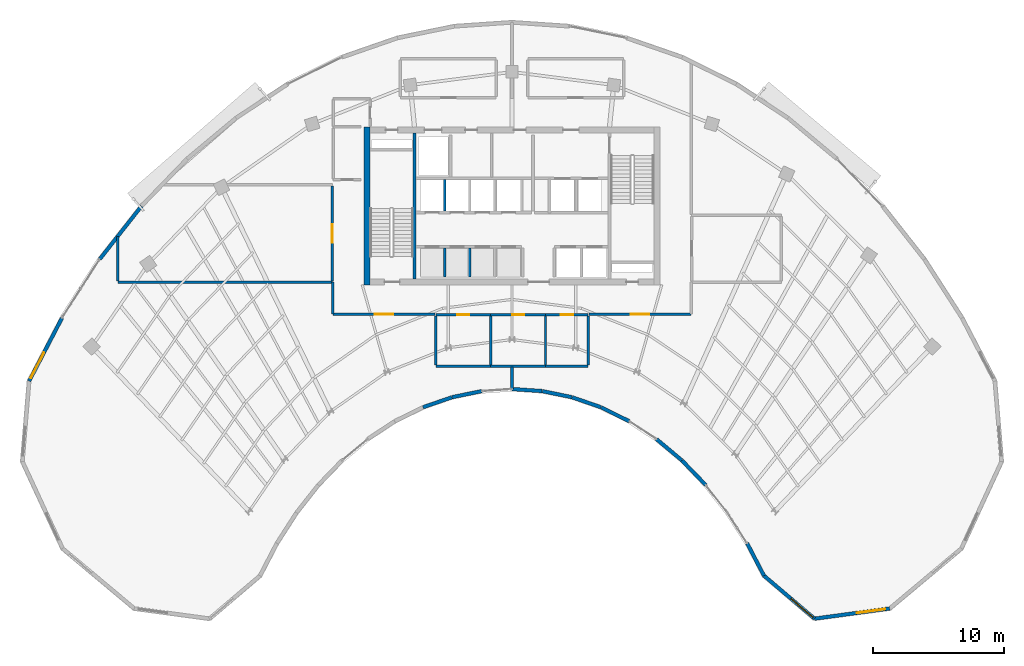
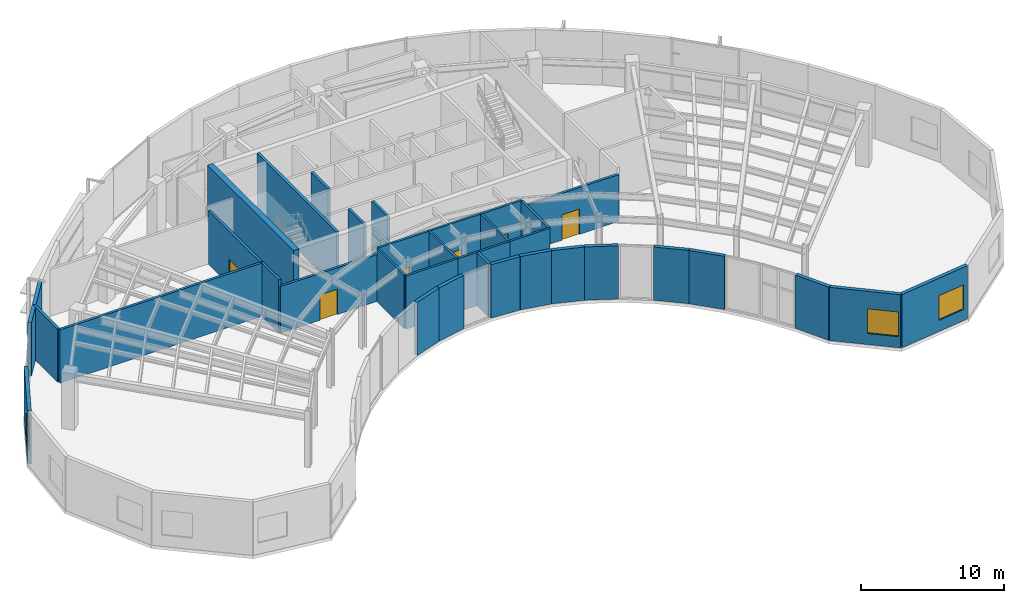
# One storey, part 8 of 15: 35 walls, 6 doors, 3 windows, 9 openings.
"""IFC4 building model written with IfcOpenShell, lengths in metres."""

from ifc_helpers import new_model, si_unit, direction, frame, frame_2d, origin, place, context, subcontext, project, spatial, rectangle, extrude, source, transform, mapped, material, layer, layer_set, type_object, type_shapes, element, fill, save


model = new_model("IFC4")

# Units and contexts
model_context = context("Model", 3, precision=1e-05, world=origin(), true_north=direction((0.0, 1.0)))
body_context = subcontext(model_context, "Body", "Model", "MODEL_VIEW")
ifc_project = project(units=[si_unit("LENGTHUNIT", "METRE"), si_unit("AREAUNIT", "SQUARE_METRE"), si_unit("VOLUMEUNIT", "CUBIC_METRE"), si_unit("PLANEANGLEUNIT", "RADIAN"), si_unit("MASSUNIT", "GRAM", prefix="KILO")], contexts=[model_context])

# Site, building, storey
site_placement = place(None, origin())
site = spatial("IfcSite", under=ifc_project, at=site_placement, CompositionType="ELEMENT")
building_placement = place(site_placement, origin())
building = spatial("IfcBuilding", under=site, at=building_placement, Name="Breltana Convention Tower", CompositionType="ELEMENT")
storey_placement = place(building_placement, frame((0.0, 0.0, 199.199951171875)))
storey = spatial("IfcBuildingStorey", under=building, at=storey_placement, Name="L48", CompositionType="ELEMENT", Elevation=199.199951171875)

# Walls
ifc_material_1 = material(Name="Concrete C60/75", Category="concrete")
ifc_layer_1 = layer(ifc_material_1, 0.449951171875, Name="Concrete C60/75")
ifc_layer_set_1 = layer_set([ifc_layer_1], Name="Concrete C60/75")
wall_type_1 = type_object("IfcWallType", Name="SW-CORE-450", PredefinedType="SHEAR", material=ifc_layer_set_1)
shared_shape_1 = source(origin(), body_context, "Body", "SweptSolid", [
    extrude(rectangle(XDim=12.0, YDim=0.449951171875, at=frame_2d((6.0, 0.0))), origin(), (0.0, 0.0, 1.0), 4.800048828125),
])
wall_1_placement = place(storey_placement, frame((36.97509765625, 60.199951171875, 0.0), z_axis=(0.0, 0.0, 1.0), x_axis=(0.0, 1.0, 0.0)))
element("IfcWall", 1, at=wall_1_placement, inside=storey, type_object=wall_type_1, Name="L48 West Core Shear Wall", PredefinedType="SHEAR", context=body_context, shape_type="MappedRepresentation", body=[
    mapped(shared_shape_1, transform((0.0, 0.0, 0.0), scale=1.0)),
])
ifc_material_2 = material(Name="Concrete C50/60", Category="concrete")
ifc_layer_2 = layer(ifc_material_2, 0.39990234375, Name="Concrete C50/60")
ifc_layer_set_2 = layer_set([ifc_layer_2], Name="Concrete C50/60")
wall_type_2 = type_object("IfcWallType", Name="SW-CORE-400", PredefinedType="SHEAR", material=ifc_layer_set_2)
shared_shape_2 = source(origin(), body_context, "Body", "SweptSolid", [
    extrude(rectangle(XDim=11.10009765625, YDim=0.219970703125, at=frame_2d((5.550048828125, 0.0))), origin(), (0.0, 0.0, 1.0), 4.800048828125),
])
wall_2_placement = place(storey_placement, frame((40.580078125, 60.64990234375, 0.0), z_axis=(0.0, 0.0, 1.0), x_axis=(0.0, 1.0, 0.0)))
element("IfcWall", 2, at=wall_2_placement, inside=storey, type_object=wall_type_2, Name="L48 Core West Stair Spine Wall", PredefinedType="SHEAR", context=body_context, shape_type="MappedRepresentation", body=[
    mapped(shared_shape_2, transform((0.0, 0.0, 0.0), scale=1.0)),
])

# Wall, opening, window
ifc_material_3 = material(Name="Limestone Buff Insulated Wall", Category="masonry")
ifc_layer_3 = layer(ifc_material_3, 0.280029296875, Name="Limestone Buff Insulated Wall")
ifc_layer_set_3 = layer_set([ifc_layer_3], Name="Limestone Buff Insulated Wall")
wall_type_3 = type_object("IfcWallType", Name="WL-EXT-NOSE-280", PredefinedType="SOLIDWALL", material=ifc_layer_set_3)
shared_shape_3 = source(origin(), body_context, "Body", "SweptSolid", [
    extrude(rectangle(XDim=5.771240234375, YDim=0.280029296875, at=frame_2d((2.8857421875, 0.0))), origin(), (0.0, 0.0, 1.0), 4.5400390625),
])
wall_3_placement = place(storey_placement, frame((76.74951171875, 35.559814453125, 0.0), z_axis=(0.0, 0.0, 1.0), x_axis=(-0.990933615537, -0.134352408237, 0.0)))
wall_3 = element("IfcWall", 3, at=wall_3_placement, inside=storey, type_object=wall_type_3, Name="L48 curved limestone nose wall E4", PredefinedType="SOLIDWALL", context=body_context, shape_type="MappedRepresentation", body=[
    mapped(shared_shape_3, transform((0.0, 0.0, 0.0), scale=1.0)),
])
opening_1_placement = place(wall_3_placement, frame((0.343017578125, 0.0, 0.949951171875)))
opening_1 = element("IfcOpeningElement", 4, at=opening_1_placement, cuts=wall_3, Name="Opening W-03", PredefinedType="OPENING", context=body_context, shape_type="SweptSolid", body=[
    extrude(rectangle(XDim=2.199951171875, YDim=2.10009765625, at=frame_2d((1.10009765625, 1.050048828125))), frame((0.0, 0.14990234375, 0.0), z_axis=(0.0, -1.0, 0.0), x_axis=(1.0, 0.0, 0.0)), (0.0, 0.0, 1.0), 0.300048828125),
])
ifc_material_4 = material(Name="Glass Low-E Insulated Window", Category="glass")
window_type = type_object("IfcWindowType", Name="WN-NOSE-2200X2100", PartitioningType="TRIPLE_PANEL_VERTICAL", PredefinedType="WINDOW", material=ifc_material_4)
shared_shape_4 = source(origin(), body_context, "Body", "SweptSolid", [
    extrude(rectangle(XDim=2.199951171875, YDim=2.10009765625, at=frame_2d((1.10009765625, 1.050048828125))), frame((0.0, 0.030029296875, 0.0), z_axis=(0.0, -1.0, 0.0), x_axis=(1.0, 0.0, 0.0)), (0.0, 0.0, 1.0), 0.06005859375),
])
type_shapes(window_type, [shared_shape_4])
window_1_placement = place(opening_1_placement, origin())
window_1 = element("IfcWindow", 5, at=window_1_placement, inside=storey, type_object=window_type, Name="L48 nose window E4", OverallHeight=2.10009765625, OverallWidth=2.199951171875, PartitioningType="TRIPLE_PANEL_VERTICAL", PredefinedType="WINDOW", context=body_context, shape_type="MappedRepresentation", body=[
    mapped(shared_shape_4, transform((0.0, 0.0, 0.0), scale=1.0)),
])
fill(opening_1, window_1)

shared_shape_5 = source(origin(), body_context, "Body", "SweptSolid", [
    extrude(rectangle(XDim=5.051025390625, YDim=0.280029296875, at=frame_2d((2.525390625, 0.0))), origin(), (0.0, 0.0, 1.0), 4.5400390625),
])
wall_4_placement = place(storey_placement, frame((71.030517578125, 34.784423828125, 0.0), z_axis=(0.0, 0.0, 1.0), x_axis=(-0.761904731537, 0.647689107568, 0.0)))
wall_4 = element("IfcWall", 6, at=wall_4_placement, inside=storey, type_object=wall_type_3, Name="L48 curved limestone nose wall E5", PredefinedType="SOLIDWALL", context=body_context, shape_type="MappedRepresentation", body=[
    mapped(shared_shape_5, transform((0.0, 0.0, 0.0), scale=1.0)),
])
opening_2_placement = place(wall_4_placement, frame((0.16259765625, 0.0, 0.949951171875)))
opening_2 = element("IfcOpeningElement", 7, at=opening_2_placement, cuts=wall_4, Name="Opening W-03", PredefinedType="OPENING", context=body_context, shape_type="SweptSolid", body=[
    extrude(rectangle(XDim=2.199951171875, YDim=2.10009765625, at=frame_2d((1.10009765625, 1.050048828125))), frame((0.0, 0.14990234375, 0.0), z_axis=(0.0, -1.0, 0.0), x_axis=(1.0, 0.0, 0.0)), (0.0, 0.0, 1.0), 0.300048828125),
])
window_2_placement = place(opening_2_placement, origin())
window_2 = element("IfcWindow", 8, at=window_2_placement, inside=storey, type_object=window_type, Name="L48 nose window E5", OverallHeight=2.10009765625, OverallWidth=2.199951171875, PartitioningType="TRIPLE_PANEL_VERTICAL", PredefinedType="WINDOW", context=body_context, shape_type="MappedRepresentation", body=[
    mapped(shared_shape_4, transform((0.0, 0.0, 0.0), scale=1.0)),
])
fill(opening_2, window_2)

# Walls
shared_shape_6 = source(origin(), body_context, "Body", "SweptSolid", [
    extrude(rectangle(XDim=2.779296875, YDim=0.280029296875, at=frame_2d((1.3896484375, 0.0))), origin(), (0.0, 0.0, 1.0), 4.5400390625),
])
wall_5_placement = place(storey_placement, frame((67.18212890625, 38.055908203125, 0.0), z_axis=(0.0, 0.0, 1.0), x_axis=(-0.461770308601, 0.886999538948, 0.0)))
element("IfcWall", 9, at=wall_5_placement, inside=storey, type_object=wall_type_3, Name="L48 curved limestone nose wall E6", PredefinedType="SOLIDWALL", context=body_context, shape_type="MappedRepresentation", body=[
    mapped(shared_shape_6, transform((0.0, 0.0, 0.0), scale=1.0)),
])
shared_shape_7 = source(origin(), body_context, "Body", "SweptSolid", [
    extrude(rectangle(XDim=2.587646484375, YDim=0.280029296875, at=frame_2d((1.2939453125, 0.0))), origin(), (0.0, 0.0, 1.0), 4.5400390625),
])
wall_6_placement = place(storey_placement, frame((62.739501953125, 44.96630859375, 0.0), z_axis=(0.0, 0.0, 1.0), x_axis=(-0.694687114507, 0.719312041424, 0.0)))
element("IfcWall", 10, at=wall_6_placement, inside=storey, type_object=wall_type_3, Name="L48 curved limestone nose wall E7", PredefinedType="SOLIDWALL", context=body_context, shape_type="MappedRepresentation", body=[
    mapped(shared_shape_7, transform((0.0, 0.0, 0.0), scale=1.0)),
])
shared_shape_8 = source(origin(), body_context, "Body", "SweptSolid", [
    extrude(rectangle(XDim=2.51123046875, YDim=0.280029296875, at=frame_2d((1.255615234375, 0.0))), origin(), (0.0, 0.0, 1.0), 4.5400390625),
])
wall_7_placement = place(storey_placement, frame((60.927734375, 46.8408203125, 0.0), z_axis=(0.0, 0.0, 1.0), x_axis=(-0.767910416122, 0.640557251782, 0.0)))
element("IfcWall", 11, at=wall_7_placement, inside=storey, type_object=wall_type_3, Name="L48 curved limestone nose wall E8", PredefinedType="SOLIDWALL", context=body_context, shape_type="MappedRepresentation", body=[
    mapped(shared_shape_8, transform((0.0, 0.0, 0.0), scale=1.0)),
])
shared_shape_9 = source(origin(), body_context, "Body", "SweptSolid", [
    extrude(rectangle(XDim=2.377685546875, YDim=0.280029296875, at=frame_2d((1.18896484375, 0.0))), origin(), (0.0, 0.0, 1.0), 4.5400390625),
])
wall_8_placement = place(storey_placement, frame((56.923828125, 49.8115234375, 0.0), z_axis=(0.0, 0.0, 1.0), x_axis=(-0.895941616831, 0.444171835252, 0.0)))
element("IfcWall", 12, at=wall_8_placement, inside=storey, type_object=wall_type_3, Name="L48 curved limestone nose wall E9", PredefinedType="SOLIDWALL", context=body_context, shape_type="MappedRepresentation", body=[
    mapped(shared_shape_9, transform((0.0, 0.0, 0.0), scale=1.0)),
])
shared_shape_10 = source(origin(), body_context, "Body", "SweptSolid", [
    extrude(rectangle(XDim=2.327880859375, YDim=0.280029296875, at=frame_2d((1.1640625, 0.0))), origin(), (0.0, 0.0, 1.0), 4.5400390625),
])
for number, where, z_axis, x_axis, name in (
    (13, (54.7724609375, 50.87646484375, 0.0), (0.0, 0.0, 1.0), (-0.944872545641, 0.32743834915, 0.0), "L48 curved limestone nose wall E10"),
    (14, (43.427001953125, 51.638671875, 0.0), (0.0, 0.0, 1.0), (-0.944872545641, -0.32743834915, 0.0), "L48 curved limestone nose wall E14"),
):
    element("IfcWall", number, at=place(storey_placement, frame(where, z_axis=z_axis, x_axis=x_axis)), inside=storey, type_object=wall_type_3, Name=name, PredefinedType="SOLIDWALL", context=body_context, shape_type="MappedRepresentation", body=[
        mapped(shared_shape_10, transform((0.0, 0.0, 0.0), scale=1.0)),
    ])
shared_shape_11 = source(origin(), body_context, "Body", "SweptSolid", [
    extrude(rectangle(XDim=2.2919921875, YDim=0.280029296875, at=frame_2d((1.14599609375, 0.0))), origin(), (0.0, 0.0, 1.0), 4.5400390625),
])
for number, where, z_axis, x_axis, name in (
    (15, (52.55029296875, 51.64501953125, 0.0), (0.0, 0.0, 1.0), (-0.979635482689, 0.200784264963, 0.0), "L48 curved limestone nose wall E11"),
    (16, (45.695068359375, 52.105224609375, 0.0), (0.0, 0.0, 1.0), (-0.979635482689, -0.200784264963, 0.0), "L48 curved limestone nose wall E13"),
):
    element("IfcWall", number, at=place(storey_placement, frame(where, z_axis=z_axis, x_axis=x_axis)), inside=storey, type_object=wall_type_3, Name=name, PredefinedType="SOLIDWALL", context=body_context, shape_type="MappedRepresentation", body=[
        mapped(shared_shape_11, transform((0.0, 0.0, 0.0), scale=1.0)),
    ])
shared_shape_12 = source(origin(), body_context, "Body", "SweptSolid", [
    extrude(rectangle(XDim=2.27392578125, YDim=0.280029296875, at=frame_2d((1.136962890625, 0.0))), origin(), (0.0, 0.0, 1.0), 4.5400390625),
])
wall_9_placement = place(storey_placement, frame((50.281005859375, 52.108642578125, 0.0), z_axis=(0.0, 0.0, 1.0), x_axis=(-0.997702696995, 0.067744582138, 0.0)))
element("IfcWall", 17, at=wall_9_placement, inside=storey, type_object=wall_type_3, Name="L48 curved limestone nose wall E12", PredefinedType="SOLIDWALL", context=body_context, shape_type="MappedRepresentation", body=[
    mapped(shared_shape_12, transform((0.0, 0.0, 0.0), scale=1.0)),
])

# Wall, opening, window
shared_shape_13 = source(origin(), body_context, "Body", "SweptSolid", [
    extrude(rectangle(XDim=5.41552734375, YDim=0.280029296875, at=frame_2d((2.707763671875, 0.0))), origin(), (0.0, 0.0, 1.0), 4.5400390625),
])
wall_10_placement = place(storey_placement, frame((11.243896484375, 52.87353515625, 0.0), z_axis=(0.0, 0.0, 1.0), x_axis=(0.46177852435, 0.886995261796, 0.0)))
wall_10 = element("IfcWall", 18, at=wall_10_placement, inside=storey, type_object=wall_type_3, Name="L48 curved limestone nose wall W7", PredefinedType="SOLIDWALL", context=body_context, shape_type="MappedRepresentation", body=[
    mapped(shared_shape_13, transform((0.0, 0.0, 0.0), scale=1.0)),
])
opening_3_placement = place(wall_10_placement, frame((0.25390625, 0.0, 0.949951171875)))
opening_3 = element("IfcOpeningElement", 19, at=opening_3_placement, cuts=wall_10, Name="Opening W-03", PredefinedType="OPENING", context=body_context, shape_type="SweptSolid", body=[
    extrude(rectangle(XDim=2.199951171875, YDim=2.10009765625, at=frame_2d((1.10009765625, 1.050048828125))), frame((0.0, 0.14990234375, 0.0), z_axis=(0.0, -1.0, 0.0), x_axis=(1.0, 0.0, 0.0)), (0.0, 0.0, 1.0), 0.300048828125),
])
window_3_placement = place(opening_3_placement, origin())
window_3 = element("IfcWindow", 20, at=window_3_placement, inside=storey, type_object=window_type, Name="L48 nose window W7", OverallHeight=2.10009765625, OverallWidth=2.199951171875, PartitioningType="TRIPLE_PANEL_VERTICAL", PredefinedType="WINDOW", context=body_context, shape_type="MappedRepresentation", body=[
    mapped(shared_shape_4, transform((0.0, 0.0, 0.0), scale=1.0)),
])
fill(opening_3, window_3)

# Walls
shared_shape_14 = source(origin(), body_context, "Body", "SweptSolid", [
    extrude(rectangle(XDim=5.153076171875, YDim=0.280029296875, at=frame_2d((2.57666015625, 0.0))), origin(), (0.0, 0.0, 1.0), 4.5400390625),
])
wall_11_placement = place(storey_placement, frame((16.609130859375, 62.1396484375, 0.0), z_axis=(0.0, 0.0, 1.0), x_axis=(0.618179283891, 0.786037132054, 0.0)))
element("IfcWall", 21, at=wall_11_placement, inside=storey, type_object=wall_type_3, Name="L48 curved limestone nose wall E20", PredefinedType="SOLIDWALL", context=body_context, shape_type="MappedRepresentation", body=[
    mapped(shared_shape_14, transform((0.0, 0.0, 0.0), scale=1.0)),
])
ifc_material_5 = material(Name="Autoclaved Aerated Concrete Block", Category="concrete")
ifc_layer_4 = layer(ifc_material_5, 0.199951171875, Name="Autoclaved Aerated Concrete Block")
ifc_layer_set_4 = layer_set([ifc_layer_4], Name="Autoclaved Aerated Concrete Block")
wall_type_4 = type_object("IfcWallType", Name="WL-SHAFT-200", PredefinedType="SOLIDWALL", material=ifc_layer_set_4)
shared_shape_15 = source(origin(), body_context, "Body", "SweptSolid", [
    extrude(rectangle(XDim=2.39990234375, YDim=0.199951171875, at=frame_2d((1.199951171875, 0.0))), origin(), (0.0, 0.0, 1.0), 4.5400390625),
])
wall_12_placement = place(storey_placement, frame((42.8701171875, 65.800048828125, 0.0), z_axis=(0.0, 0.0, 1.0), x_axis=(0.0, 1.0, 0.0)))
element("IfcWall", 22, at=wall_12_placement, inside=storey, type_object=wall_type_4, Name="L48 interior partition W-L48-SH-M-DIV1", PredefinedType="SOLIDWALL", context=body_context, shape_type="MappedRepresentation", body=[
    mapped(shared_shape_15, transform((0.0, 0.0, 0.0), scale=1.0)),
])
shared_shape_16 = source(origin(), body_context, "Body", "SweptSolid", [
    extrude(rectangle(XDim=2.199951171875, YDim=0.199951171875, at=frame_2d((1.10009765625, 0.0))), origin(), (0.0, 0.0, 1.0), 4.5400390625),
])
for number, where, z_axis, x_axis, name in (
    (23, (42.8701171875, 60.800048828125, 0.0), (0.0, 0.0, 1.0), (0.0, 1.0, 0.0), "L48 interior partition W-L48-SH-S-DIV1"),
    (24, (44.77001953125, 60.800048828125, 0.0), (0.0, 0.0, 1.0), (0.0, 1.0, 0.0), "L48 interior partition W-L48-SH-S-DIV2"),
):
    element("IfcWall", number, at=place(storey_placement, frame(where, z_axis=z_axis, x_axis=x_axis)), inside=storey, type_object=wall_type_4, Name=name, PredefinedType="SOLIDWALL", context=body_context, shape_type="MappedRepresentation", body=[
        mapped(shared_shape_16, transform((0.0, 0.0, 0.0), scale=1.0)),
    ])
ifc_material_6 = material(Name="Cement Board Wet-Area Partition")
ifc_layer_5 = layer(ifc_material_6, 0.175048828125, Name="Cement Board Wet-Area Partition")
ifc_layer_set_5 = layer_set([ifc_layer_5], Name="Cement Board Wet-Area Partition")
wall_type_5 = type_object("IfcWallType", Name="WL-WET-175", PredefinedType="PARTITIONING", material=ifc_layer_set_5)
shared_shape_17 = source(origin(), body_context, "Body", "SweptSolid", [
    extrude(rectangle(XDim=4.176025390625, YDim=0.175048828125, at=frame_2d((2.087890625, 0.0))), origin(), (0.0, 0.0, 1.0), 4.5400390625),
])
for number, where, z_axis, x_axis, name in (
    (25, (42.199951171875, 54.0, 0.0), (0.0, 0.0, 1.0), (1.0, 0.0, 0.0), "L48 interior partition W-L48-WCM-S"),
    (26, (46.3759765625, 54.0, 0.0), (0.0, 0.0, 1.0), (1.0, 0.0, 0.0), "L48 interior partition W-L48-WCF-S"),
):
    element("IfcWall", number, at=place(storey_placement, frame(where, z_axis=z_axis, x_axis=x_axis)), inside=storey, type_object=wall_type_5, Name=name, PredefinedType="PARTITIONING", context=body_context, shape_type="MappedRepresentation", body=[
        mapped(shared_shape_17, transform((0.0, 0.0, 0.0), scale=1.0)),
    ])

# Wall, opening, door
ifc_material_7 = material(Name="Moisture-Resistant Gypsum Chase Wall")
ifc_layer_6 = layer(ifc_material_7, 0.179931640625, Name="Moisture-Resistant Gypsum Chase Wall")
ifc_layer_set_6 = layer_set([ifc_layer_6], Name="Moisture-Resistant Gypsum Chase Wall")
wall_type_6 = type_object("IfcWallType", Name="WL-PLUMB-180", PredefinedType="PLUMBINGWALL", material=ifc_layer_set_6)
shared_shape_18 = source(origin(), body_context, "Body", "SweptSolid", [
    extrude(rectangle(XDim=4.176025390625, YDim=0.179931640625, at=frame_2d((2.087890625, 0.0))), origin(), (0.0, 0.0, 1.0), 4.5400390625),
])
wall_13_placement = place(storey_placement, frame((42.199951171875, 57.919921875, 0.0), z_axis=(0.0, 0.0, 1.0), x_axis=(1.0, 0.0, 0.0)))
wall_13 = element("IfcWall", 27, at=wall_13_placement, inside=storey, type_object=wall_type_6, Name="L48 interior partition W-L48-WCM-N", PredefinedType="PLUMBINGWALL", context=body_context, shape_type="MappedRepresentation", body=[
    mapped(shared_shape_18, transform((0.0, 0.0, 0.0), scale=1.0)),
])
opening_4_placement = place(wall_13_placement, frame((1.637939453125, 0.0, 0.0)))
opening_4 = element("IfcOpeningElement", 28, at=opening_4_placement, cuts=wall_13, Name="Opening D-19", PredefinedType="OPENING", context=body_context, shape_type="SweptSolid", body=[
    extrude(rectangle(XDim=0.89990234375, YDim=2.080078125, at=frame_2d((0.449951171875, 1.0400390625))), frame((0.0, 0.10009765625, 0.0), z_axis=(0.0, -1.0, 0.0), x_axis=(1.0, 0.0, 0.0)), (0.0, 0.0, 1.0), 0.199951171875),
])
ifc_material_8 = material(Name="Timber Moisture-Resistant Door", Category="wood")
door_type_1 = type_object("IfcDoorType", Name="DR-WC-900", OperationType="NOTDEFINED", PredefinedType="DOOR", material=ifc_material_8)
shared_shape_19 = source(origin(), body_context, "Body", "SweptSolid", [
    extrude(rectangle(XDim=0.89990234375, YDim=2.080078125, at=frame_2d((0.449951171875, 1.0400390625))), frame((0.0, 0.02490234375, 0.0), z_axis=(0.0, -1.0, 0.0), x_axis=(1.0, 0.0, 0.0)), (0.0, 0.0, 1.0), 0.050048828125),
])
type_shapes(door_type_1, [shared_shape_19])
door_1_placement = place(opening_4_placement, origin())
door_1 = element("IfcDoor", 29, at=door_1_placement, inside=storey, type_object=door_type_1, Name="L48 interior door D-L48-WCM", OperationType="SINGLE_SWING_RIGHT", OverallHeight=2.080078125, OverallWidth=0.89990234375, PredefinedType="DOOR", context=body_context, shape_type="MappedRepresentation", body=[
    mapped(shared_shape_19, transform((0.0, 0.0, 0.0), scale=1.0)),
])
fill(opening_4, door_1)

wall_14_placement = place(storey_placement, frame((46.3759765625, 57.919921875, 0.0), z_axis=(0.0, 0.0, 1.0), x_axis=(1.0, 0.0, 0.0)))
wall_14 = element("IfcWall", 30, at=wall_14_placement, inside=storey, type_object=wall_type_6, Name="L48 interior partition W-L48-WCF-N", PredefinedType="PLUMBINGWALL", context=body_context, shape_type="MappedRepresentation", body=[
    mapped(shared_shape_18, transform((0.0, 0.0, 0.0), scale=1.0)),
])
opening_5_placement = place(wall_14_placement, frame((1.637939453125, 0.0, 0.0)))
opening_5 = element("IfcOpeningElement", 31, at=opening_5_placement, cuts=wall_14, Name="Opening D-19", PredefinedType="OPENING", context=body_context, shape_type="SweptSolid", body=[
    extrude(rectangle(XDim=0.89990234375, YDim=2.080078125, at=frame_2d((0.449951171875, 1.0400390625))), frame((0.0, 0.10009765625, 0.0), z_axis=(0.0, -1.0, 0.0), x_axis=(1.0, 0.0, 0.0)), (0.0, 0.0, 1.0), 0.199951171875),
])
door_2_placement = place(opening_5_placement, origin())
door_2 = element("IfcDoor", 32, at=door_2_placement, inside=storey, type_object=door_type_1, Name="L48 interior door D-L48-WCF", OperationType="SINGLE_SWING_LEFT", OverallHeight=2.080078125, OverallWidth=0.89990234375, PredefinedType="DOOR", context=body_context, shape_type="MappedRepresentation", body=[
    mapped(shared_shape_19, transform((0.0, 0.0, 0.0), scale=1.0)),
])
fill(opening_5, door_2)

# Walls
shared_shape_20 = source(origin(), body_context, "Body", "SweptSolid", [
    extrude(rectangle(XDim=3.7626953125, YDim=0.175048828125, at=frame_2d((1.88134765625, 0.0))), origin(), (0.0, 0.0, 1.0), 4.5400390625),
])
for number, where, z_axis, x_axis, name in (
    (33, (42.199951171875, 54.07861328125, 0.0), (0.0, 0.0, 1.0), (0.0, 1.0, 0.0), "L48 interior partition W-L48-WCM-W"),
    (34, (46.3759765625, 54.07861328125, 0.0), (0.0, 0.0, 1.0), (0.0, 1.0, 0.0), "L48 interior partition W-L48-WCM-E"),
    (35, (50.552001953125, 54.07861328125, 0.0), (0.0, 0.0, 1.0), (0.0, 1.0, 0.0), "L48 interior partition W-L48-WCF-E"),
    (36, (53.800048828125, 54.07861328125, 0.0), (0.0, 0.0, 1.0), (0.0, 1.0, 0.0), "L48 interior partition W-L48-WCA-E"),
):
    element("IfcWall", number, at=place(storey_placement, frame(where, z_axis=z_axis, x_axis=x_axis)), inside=storey, type_object=wall_type_5, Name=name, PredefinedType="PARTITIONING", context=body_context, shape_type="MappedRepresentation", body=[
        mapped(shared_shape_20, transform((0.0, 0.0, 0.0), scale=1.0)),
    ])
shared_shape_21 = source(origin(), body_context, "Body", "SweptSolid", [
    extrude(rectangle(XDim=3.248046875, YDim=0.175048828125, at=frame_2d((1.6240234375, 0.0))), origin(), (0.0, 0.0, 1.0), 4.5400390625),
])
wall_15_placement = place(storey_placement, frame((50.552001953125, 54.0, 0.0), z_axis=(0.0, 0.0, 1.0), x_axis=(1.0, 0.0, 0.0)))
element("IfcWall", 37, at=wall_15_placement, inside=storey, type_object=wall_type_5, Name="L48 interior partition W-L48-WCA-S", PredefinedType="PARTITIONING", context=body_context, shape_type="MappedRepresentation", body=[
    mapped(shared_shape_21, transform((0.0, 0.0, 0.0), scale=1.0)),
])

# Wall, opening, door
shared_shape_22 = source(origin(), body_context, "Body", "SweptSolid", [
    extrude(rectangle(XDim=3.248046875, YDim=0.179931640625, at=frame_2d((1.6240234375, 0.0))), origin(), (0.0, 0.0, 1.0), 4.5400390625),
])
wall_16_placement = place(storey_placement, frame((50.552001953125, 57.919921875, 0.0), z_axis=(0.0, 0.0, 1.0), x_axis=(1.0, 0.0, 0.0)))
wall_16 = element("IfcWall", 38, at=wall_16_placement, inside=storey, type_object=wall_type_6, Name="L48 interior partition W-L48-WCA-N", PredefinedType="PLUMBINGWALL", context=body_context, shape_type="MappedRepresentation", body=[
    mapped(shared_shape_22, transform((0.0, 0.0, 0.0), scale=1.0)),
])
opening_6_placement = place(wall_16_placement, frame((1.14892578125, 0.0, 0.0)))
opening_6 = element("IfcOpeningElement", 39, at=opening_6_placement, cuts=wall_16, Name="Opening D-16", PredefinedType="OPENING", context=body_context, shape_type="SweptSolid", body=[
    extrude(rectangle(XDim=0.949951171875, YDim=2.1201171875, at=frame_2d((0.47509765625, 1.06005859375))), frame((0.0, 0.10009765625, 0.0), z_axis=(0.0, -1.0, 0.0), x_axis=(1.0, 0.0, 0.0)), (0.0, 0.0, 1.0), 0.199951171875),
])
ifc_material_9 = material(Name="Timber Laminate Accessible Door", Category="wood")
door_type_2 = type_object("IfcDoorType", Name="DR-ACC-950", OperationType="NOTDEFINED", PredefinedType="DOOR", material=ifc_material_9)
shared_shape_23 = source(origin(), body_context, "Body", "SweptSolid", [
    extrude(rectangle(XDim=0.949951171875, YDim=2.1201171875, at=frame_2d((0.47509765625, 1.06005859375))), frame((0.0, 0.02490234375, 0.0), z_axis=(0.0, -1.0, 0.0), x_axis=(1.0, 0.0, 0.0)), (0.0, 0.0, 1.0), 0.050048828125),
])
type_shapes(door_type_2, [shared_shape_23])
door_3_placement = place(opening_6_placement, origin())
door_3 = element("IfcDoor", 40, at=door_3_placement, inside=storey, type_object=door_type_2, Name="L48 interior door D-L48-WCA", OperationType="SINGLE_SWING_RIGHT", OverallHeight=2.1201171875, OverallWidth=0.949951171875, PredefinedType="DOOR", context=body_context, shape_type="MappedRepresentation", body=[
    mapped(shared_shape_23, transform((0.0, 0.0, 0.0), scale=1.0)),
])
fill(opening_6, door_3)

# Walls
ifc_material_10 = material(Name="Gypsum Acoustic Hotel Wall")
ifc_layer_7 = layer(ifc_material_10, 0.195068359375, Name="Gypsum Acoustic Hotel Wall")
ifc_layer_set_7 = layer_set([ifc_layer_7], Name="Gypsum Acoustic Hotel Wall")
wall_type_7 = type_object("IfcWallType", Name="WL-HOTEL-200", PredefinedType="PARTITIONING", material=ifc_layer_set_7)
shared_shape_24 = source(origin(), body_context, "Body", "SweptSolid", [
    extrude(rectangle(XDim=16.320068359375, YDim=0.195068359375, at=frame_2d((8.16015625, 0.0))), origin(), (0.0, 0.0, 1.0), 4.5400390625),
])
wall_17_placement = place(storey_placement, frame((18.0, 60.39990234375, 0.0), z_axis=(0.0, 0.0, 1.0), x_axis=(1.0, 0.0, 0.0)))
element("IfcWall", 41, at=wall_17_placement, inside=storey, type_object=wall_type_7, Name="L48 interior partition W-L48-AUD48-S", PredefinedType="PARTITIONING", context=body_context, shape_type="MappedRepresentation", body=[
    mapped(shared_shape_24, transform((0.0, 0.0, 0.0), scale=1.0)),
])
shared_shape_25 = source(origin(), body_context, "Body", "SweptSolid", [
    extrude(rectangle(XDim=3.404296875, YDim=0.195068359375, at=frame_2d((1.7021484375, 0.0))), origin(), (0.0, 0.0, 1.0), 4.5400390625),
])
wall_18_placement = place(storey_placement, frame((18.0, 60.48779296875, 0.0), z_axis=(0.0, 0.0, 1.0), x_axis=(0.0, 1.0, 0.0)))
element("IfcWall", 42, at=wall_18_placement, inside=storey, type_object=wall_type_7, Name="L48 interior partition W-L48-AUD48-W", PredefinedType="PARTITIONING", context=body_context, shape_type="MappedRepresentation", body=[
    mapped(shared_shape_25, transform((0.0, 0.0, 0.0), scale=1.0)),
])

# Wall, opening, door
shared_shape_26 = source(origin(), body_context, "Body", "SweptSolid", [
    extrude(rectangle(XDim=7.224365234375, YDim=0.195068359375, at=frame_2d((3.6123046875, 0.0))), origin(), (0.0, 0.0, 1.0), 4.5400390625),
])
wall_19_placement = place(storey_placement, frame((34.320068359375, 60.48779296875, 0.0), z_axis=(0.0, 0.0, 1.0), x_axis=(0.0, 1.0, 0.0)))
wall_19 = element("IfcWall", 43, at=wall_19_placement, inside=storey, type_object=wall_type_7, Name="L48 interior partition W-L48-AUD48-E", PredefinedType="PARTITIONING", context=body_context, shape_type="MappedRepresentation", body=[
    mapped(shared_shape_26, transform((0.0, 0.0, 0.0), scale=1.0)),
])
opening_7_placement = place(wall_19_placement, frame((2.912109375, 0.0, 0.0)))
opening_7 = element("IfcOpeningElement", 44, at=opening_7_placement, cuts=wall_19, Name="Opening D-05", PredefinedType="OPENING", context=body_context, shape_type="SweptSolid", body=[
    extrude(rectangle(XDim=1.39990234375, YDim=2.14990234375, at=frame_2d((0.699951171875, 1.074951171875))), frame((0.0, 0.107421875, 0.0), z_axis=(0.0, -1.0, 0.0), x_axis=(1.0, 0.0, 0.0)), (0.0, 0.0, 1.0), 0.215087890625),
])
ifc_material_11 = material(Name="Timber Veneer Glazed Double Door", Category="wood")
door_type_3 = type_object("IfcDoorType", Name="DR-DBL-1400", OperationType="DOUBLE_DOOR_SINGLE_SWING", PredefinedType="DOOR", material=ifc_material_11)
shared_shape_27 = source(origin(), body_context, "Body", "SweptSolid", [
    extrude(rectangle(XDim=1.39990234375, YDim=2.14990234375, at=frame_2d((0.699951171875, 1.074951171875))), frame((0.0, 0.02490234375, 0.0), z_axis=(0.0, -1.0, 0.0), x_axis=(1.0, 0.0, 0.0)), (0.0, 0.0, 1.0), 0.050048828125),
])
type_shapes(door_type_3, [shared_shape_27])
door_4_placement = place(opening_7_placement, origin())
door_4 = element("IfcDoor", 45, at=door_4_placement, inside=storey, type_object=door_type_3, Name="L48 interior door D-L48-AUD48", OperationType="SINGLE_SWING_RIGHT", OverallHeight=2.14990234375, OverallWidth=1.39990234375, PredefinedType="DOOR", context=body_context, shape_type="MappedRepresentation", body=[
    mapped(shared_shape_27, transform((0.0, 0.0, 0.0), scale=1.0)),
])
fill(opening_7, door_4)

# Wall
shared_shape_28 = source(origin(), body_context, "Body", "SweptSolid", [
    extrude(rectangle(XDim=1.67724609375, YDim=0.195068359375, at=frame_2d((0.838623046875, 0.0))), origin(), (0.0, 0.0, 1.0), 4.5400390625),
])
wall_20_placement = place(storey_placement, frame((48.0, 52.272705078125, 0.0), z_axis=(0.0, 0.0, 1.0), x_axis=(0.0, 1.0, 0.0)))
element("IfcWall", 46, at=wall_20_placement, inside=storey, type_object=wall_type_7, Name="L48 interior partition W-L48-L48-MID", PredefinedType="PARTITIONING", context=body_context, shape_type="MappedRepresentation", body=[
    mapped(shared_shape_28, transform((0.0, 0.0, 0.0), scale=1.0)),
])

# Wall, opening, door
shared_shape_29 = source(origin(), body_context, "Body", "SweptSolid", [
    extrude(rectangle(XDim=7.789794921875, YDim=0.195068359375, at=frame_2d((3.89501953125, 0.0))), origin(), (0.0, 0.0, 1.0), 3.985107421875),
])
wall_21_placement = place(storey_placement, frame((34.360107421875, 57.9599609375, 0.0), z_axis=(0.0, 0.0, 1.0), x_axis=(1.0, 0.0, 0.0)))
wall_21 = element("IfcWall", 47, at=wall_21_placement, inside=storey, type_object=wall_type_7, Name="L48 interior partition W-L48-L48-W", PredefinedType="PARTITIONING", context=body_context, shape_type="MappedRepresentation", body=[
    mapped(shared_shape_29, transform((0.0, 0.0, 0.0), scale=1.0)),
])
opening_8_placement = place(wall_21_placement, frame((3.195068359375, 0.0, 0.0)))
opening_8 = element("IfcOpeningElement", 48, at=opening_8_placement, cuts=wall_21, Name="Opening D-05", PredefinedType="OPENING", context=body_context, shape_type="SweptSolid", body=[
    extrude(rectangle(XDim=1.39990234375, YDim=2.14990234375, at=frame_2d((0.699951171875, 1.074951171875))), frame((0.0, 0.107421875, 0.0), z_axis=(0.0, -1.0, 0.0), x_axis=(1.0, 0.0, 0.0)), (0.0, 0.0, 1.0), 0.215087890625),
])
door_5_placement = place(opening_8_placement, origin())
door_5 = element("IfcDoor", 49, at=door_5_placement, inside=storey, type_object=door_type_3, Name="L48 interior door D-L48-SL48W", OperationType="SINGLE_SWING_LEFT", OverallHeight=2.14990234375, OverallWidth=1.39990234375, PredefinedType="DOOR", context=body_context, shape_type="MappedRepresentation", body=[
    mapped(shared_shape_27, transform((0.0, 0.0, 0.0), scale=1.0)),
])
fill(opening_8, door_5)

wall_22_placement = place(storey_placement, frame((53.85009765625, 57.9599609375, 0.0), z_axis=(0.0, 0.0, 1.0), x_axis=(1.0, 0.0, 0.0)))
wall_22 = element("IfcWall", 50, at=wall_22_placement, inside=storey, type_object=wall_type_7, Name="L48 interior partition W-L48-L48-E", PredefinedType="PARTITIONING", context=body_context, shape_type="MappedRepresentation", body=[
    mapped(shared_shape_29, transform((0.0, 0.0, 0.0), scale=1.0)),
])
opening_9_placement = place(wall_22_placement, frame((3.195068359375, 0.0, 0.0)))
opening_9 = element("IfcOpeningElement", 51, at=opening_9_placement, cuts=wall_22, Name="Opening D-05", PredefinedType="OPENING", context=body_context, shape_type="SweptSolid", body=[
    extrude(rectangle(XDim=1.39990234375, YDim=2.14990234375, at=frame_2d((0.699951171875, 1.074951171875))), frame((0.0, 0.107421875, 0.0), z_axis=(0.0, -1.0, 0.0), x_axis=(1.0, 0.0, 0.0)), (0.0, 0.0, 1.0), 0.215087890625),
])
door_6_placement = place(opening_9_placement, origin())
door_6 = element("IfcDoor", 52, at=door_6_placement, inside=storey, type_object=door_type_3, Name="L48 interior door D-L48-SL48E", OperationType="SINGLE_SWING_RIGHT", OverallHeight=2.14990234375, OverallWidth=1.39990234375, PredefinedType="DOOR", context=body_context, shape_type="MappedRepresentation", body=[
    mapped(shared_shape_27, transform((0.0, 0.0, 0.0), scale=1.0)),
])
fill(opening_9, door_6)

# Wall
shared_shape_30 = source(origin(), body_context, "Body", "SweptSolid", [
    extrude(rectangle(XDim=2.4599609375, YDim=0.195068359375, at=frame_2d((1.22998046875, 0.0))), origin(), (0.0, 0.0, 1.0), 4.5400390625),
])
wall_23_placement = place(storey_placement, frame((34.360107421875, 57.9599609375, 0.0), z_axis=(0.0, 0.0, 1.0), x_axis=(0.0, 1.0, 0.0)))
element("IfcWall", 53, at=wall_23_placement, inside=storey, type_object=wall_type_7, Name="L48 interior partition W-L48-L48-WS", PredefinedType="PARTITIONING", context=body_context, shape_type="MappedRepresentation", body=[
    mapped(shared_shape_30, transform((0.0, 0.0, 0.0), scale=1.0)),
])

save(model, "model.ifc")
